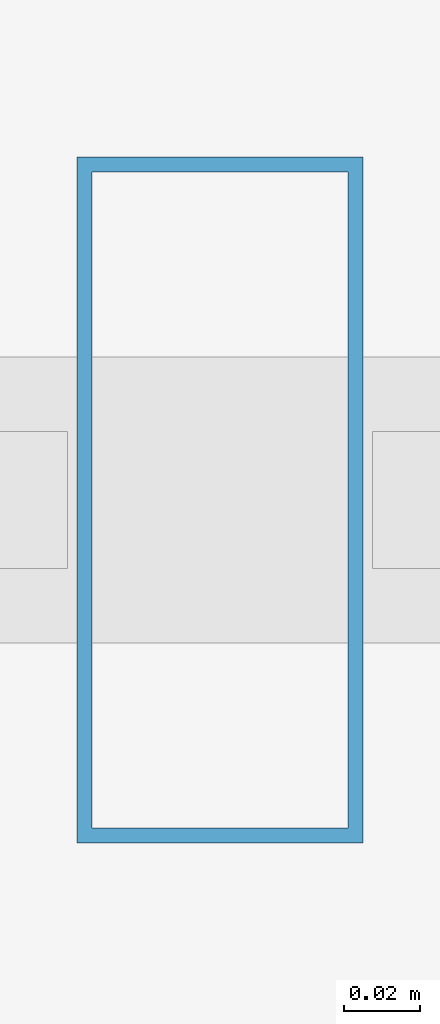
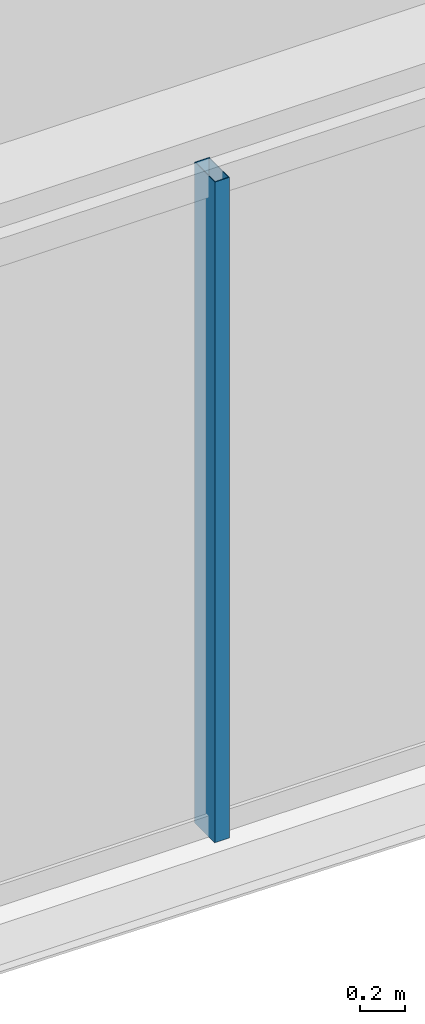
# One storey, part 8 of 34: 1 member, 1 element without a shape of its own.
"""IFC4 building model written with IfcOpenShell, lengths in metres."""

from ifc_helpers import new_model, si_unit, direction, frame, origin, origin_2d, place, context, subcontext, project, spatial, hollow_rectangle, extrude, material, layer, layer_set, material_profile, profile_set, type_object, element, aggregate, save


model = new_model("IFC4")

# Units and contexts
model_context = context("Model", 3, precision=1e-05, world=origin(), true_north=direction((0.0, 1.0)))
body_context = subcontext(model_context, "Body", "Model", "MODEL_VIEW")
ifc_project = project(units=[si_unit("LENGTHUNIT", "METRE"), si_unit("AREAUNIT", "SQUARE_METRE"), si_unit("VOLUMEUNIT", "CUBIC_METRE"), si_unit("PLANEANGLEUNIT", "RADIAN"), si_unit("MASSUNIT", "GRAM", prefix="KILO")], contexts=[model_context])

# Site, building, storey
site_placement = place(None, origin())
site = spatial("IfcSite", under=ifc_project, at=site_placement, CompositionType="ELEMENT")
building_placement = place(site_placement, origin())
building = spatial("IfcBuilding", under=site, at=building_placement, Name="Ndaravel Arena Tower", CompositionType="ELEMENT")
storey_placement = place(building_placement, frame((0.0, 0.0, 263.60009765625)))
storey = spatial("IfcBuildingStorey", under=building, at=storey_placement, Name="L64", CompositionType="ELEMENT", Elevation=263.60009765625)

# Curtain wall, member
ifc_material_1 = material(Name="Aluminium", Category="aluminium")
ifc_layer = layer(ifc_material_1, 0.179931640625)
ifc_layer_set = layer_set([ifc_layer], Name="Aluminium")
curtain_wall_type = type_object("IfcCurtainWallType", Name="CW-SYS-03", PredefinedType="NOTDEFINED", material=ifc_layer_set)
curtain_wall_placement = place(storey_placement, origin())
curtain_wall = element("IfcCurtainWall", 1, at=curtain_wall_placement, inside=storey, type_object=curtain_wall_type, Name="L64 Faceted Crystal Curtain Wall CW-L64-E01", PredefinedType="NOTDEFINED")
ifc_material_2 = material(Name="Aluminium", Category="aluminium")
ifc_material_profile = material_profile(ifc_material_2, hollow_rectangle(XDim=0.074951171875, YDim=0.179931640625, WallThickness=0.00390625, at=origin_2d()), Name="CW MULLION 75x180x4")
ifc_profile_set = profile_set([ifc_material_profile], Name="Aluminium")
member_type = type_object("IfcMemberType", Name="MEM-CW-MUL180", PredefinedType="MULLION", material=ifc_profile_set)
member_placement = place(storey_placement, frame((39.788818359375, 5.159912109375, 0.0), z_axis=(0.0, 0.0, 1.0), x_axis=(1.0, 0.0, 0.0)))
member = element("IfcMember", 2, at=member_placement, type_object=member_type, Name="CW-L64-E01 Mullion 04", PredefinedType="MULLION", context=body_context, shape_type="SweptSolid", body=[
    extrude(hollow_rectangle(XDim=0.074951171875, YDim=0.179931640625, WallThickness=0.00390625, at=origin_2d()), origin(), (0.0, 0.0, 1.0), 3.579833984375),
])
aggregate(curtain_wall, [member])

save(model, "model.ifc")
